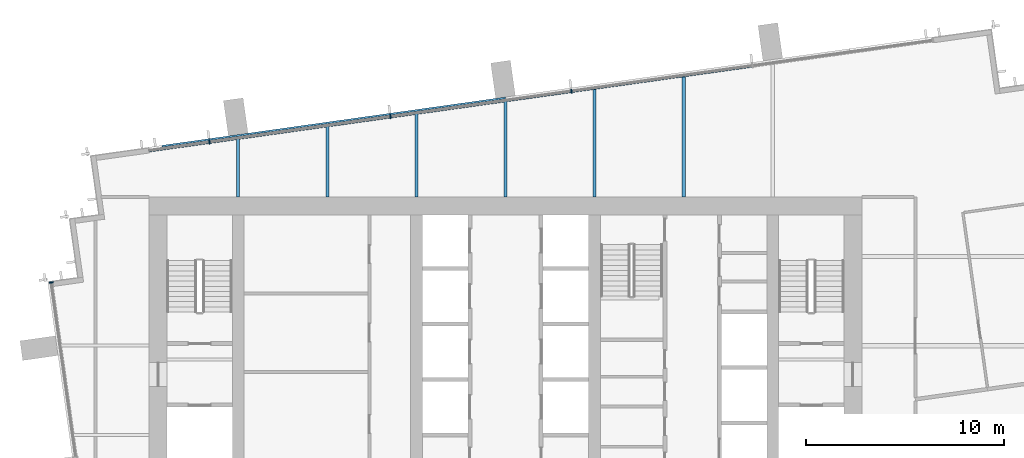
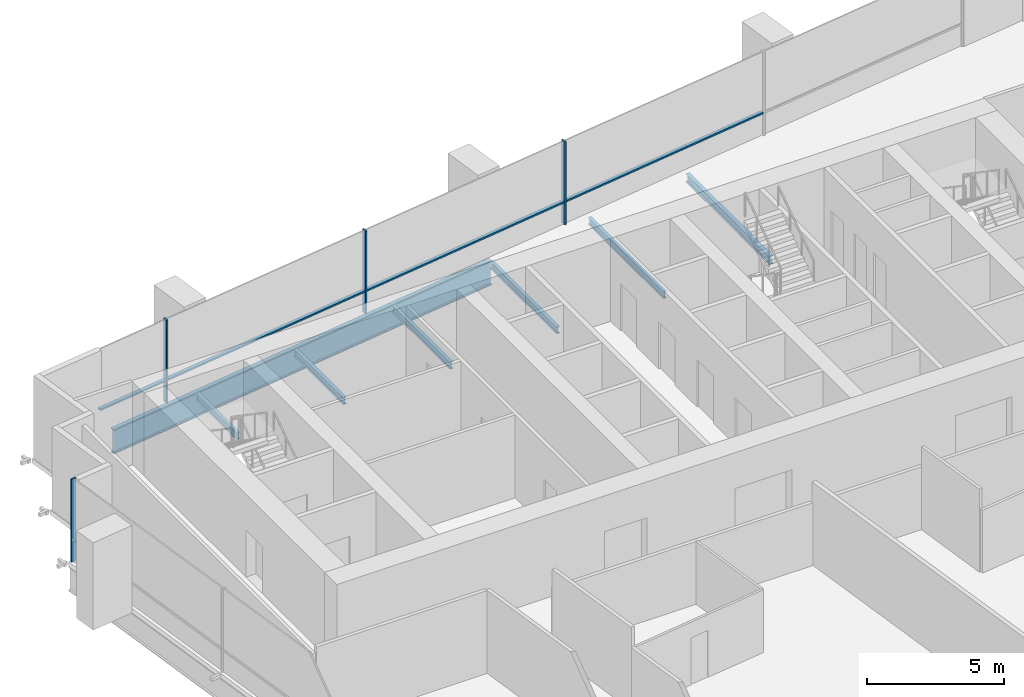
# One storey, part 6 of 13: 8 members, 7 beams, 2 elements without a shape of their own.
"""IFC4 building model written with IfcOpenShell, lengths in metres."""

from ifc_helpers import new_model, si_unit, direction, frame, origin, origin_2d, place, context, subcontext, project, spatial, rectangle, i_section, extrude, material, layer, layer_set, material_profile, profile_set, type_object, element, aggregate, save


model = new_model("IFC4")

# Units and contexts
model_context = context("Model", 3, precision=1e-05, world=origin(), true_north=direction((0.0, 1.0)))
body_context = subcontext(model_context, "Body", "Model", "MODEL_VIEW")
ifc_project = project(units=[si_unit("LENGTHUNIT", "METRE"), si_unit("AREAUNIT", "SQUARE_METRE"), si_unit("VOLUMEUNIT", "CUBIC_METRE"), si_unit("PLANEANGLEUNIT", "RADIAN"), si_unit("MASSUNIT", "GRAM", prefix="KILO")], contexts=[model_context])

# Site, building, storey
site_placement = place(None, origin())
site = spatial("IfcSite", under=ifc_project, at=site_placement, CompositionType="ELEMENT")
building_placement = place(site_placement, origin())
building = spatial("IfcBuilding", under=site, at=building_placement, Name="Rattan Terrace Tower", CompositionType="ELEMENT")
storey_placement = place(building_placement, frame((0.0, 0.0, 240.800048828125)))
storey = spatial("IfcBuildingStorey", under=building, at=storey_placement, Name="L55", CompositionType="ELEMENT", Elevation=240.800048828125)

# Beams
ifc_material_1 = material(Name="Steel S460", Category="steel")
ifc_material_profile_1 = material_profile(ifc_material_1, i_section(OverallWidth=0.179931640625, OverallDepth=1.10009765625, WebThickness=0.01611328125, FlangeThickness=0.050048828125, at=origin_2d()), Name="PG 1100x180-16-50")
ifc_profile_set_1 = profile_set([ifc_material_profile_1], Name="Steel S460")
beam_type_1 = type_object("IfcBeamType", Name="Frame edge girder PG 1100x180-16-50", PredefinedType="SPANDREL", material=ifc_profile_set_1)
beam_1_placement = place(storey_placement, frame((-17.347900390625, 10.031005859375, -0.75), z_axis=(0.990267797657, 0.13917502981, 0.0), x_axis=(-0.13917502981, 0.990267797657, 0.0)))
element("IfcBeam", 1, at=beam_1_placement, inside=storey, type_object=beam_type_1, Name="gdr-L55-005", PredefinedType="SPANDREL", context=body_context, shape_type="SweptSolid", body=[
    extrude(i_section(OverallWidth=0.179931640625, OverallDepth=1.10009765625, WebThickness=0.01611328125, FlangeThickness=0.050048828125, at=origin_2d()), origin(), (0.0, 0.0, 1.0), 17.531494140625),
])
ifc_material_2 = material(Name="Steel S355", Category="steel")
ifc_material_profile_2 = material_profile(ifc_material_2, i_section(OverallWidth=0.14990234375, OverallDepth=0.300048828125, WebThickness=0.007080078125, FlangeThickness=0.0107421875, FilletRadius=0.014892578125, at=origin_2d()), Name="IPE 300")
ifc_profile_set_2 = profile_set([ifc_material_profile_2], Name="Steel S355")
beam_type_2 = type_object("IfcBeamType", Name="Frame floor beam IPE 300", PredefinedType="JOIST", material=ifc_profile_set_2)
beam_2_placement = place(storey_placement, frame((-13.5, 7.5, -0.35009765625), z_axis=(0.0, 1.0, 0.0), x_axis=(-1.0, 0.0, 0.0)))
element("IfcBeam", 2, at=beam_2_placement, inside=storey, type_object=beam_type_2, Name="bm-L55-014", PredefinedType="JOIST", context=body_context, shape_type="SweptSolid", body=[
    extrude(i_section(OverallWidth=0.14990234375, OverallDepth=0.300048828125, WebThickness=0.007080078125, FlangeThickness=0.0107421875, FilletRadius=0.014892578125, at=origin_2d()), origin(), (0.0, 0.0, 1.0), 2.969970703125),
])
beam_3_placement = place(storey_placement, frame((-9.0, 7.5, -0.35009765625), z_axis=(0.0, 1.0, 0.0), x_axis=(-1.0, 0.0, 0.0)))
element("IfcBeam", 3, at=beam_3_placement, inside=storey, type_object=beam_type_2, Name="bm-L55-015", PredefinedType="JOIST", context=body_context, shape_type="SweptSolid", body=[
    extrude(i_section(OverallWidth=0.14990234375, OverallDepth=0.300048828125, WebThickness=0.007080078125, FlangeThickness=0.0107421875, FilletRadius=0.014892578125, at=origin_2d()), origin(), (0.0, 0.0, 1.0), 3.60302734375),
])
beam_4_placement = place(storey_placement, frame((-4.5, 7.5, -0.35009765625), z_axis=(0.0, 1.0, 0.0), x_axis=(-1.0, 0.0, 0.0)))
element("IfcBeam", 4, at=beam_4_placement, inside=storey, type_object=beam_type_2, Name="bm-L55-016", PredefinedType="JOIST", context=body_context, shape_type="SweptSolid", body=[
    extrude(i_section(OverallWidth=0.14990234375, OverallDepth=0.300048828125, WebThickness=0.007080078125, FlangeThickness=0.0107421875, FilletRadius=0.014892578125, at=origin_2d()), origin(), (0.0, 0.0, 1.0), 4.235107421875),
])
beam_5_placement = place(storey_placement, frame((0.0, 7.5, -0.35009765625), z_axis=(0.0, 1.0, 0.0), x_axis=(-1.0, 0.0, 0.0)))
element("IfcBeam", 5, at=beam_5_placement, inside=storey, type_object=beam_type_2, Name="bm-L55-017", PredefinedType="JOIST", context=body_context, shape_type="SweptSolid", body=[
    extrude(i_section(OverallWidth=0.14990234375, OverallDepth=0.300048828125, WebThickness=0.007080078125, FlangeThickness=0.0107421875, FilletRadius=0.014892578125, at=origin_2d()), origin(), (0.0, 0.0, 1.0), 4.867919921875),
])
beam_6_placement = place(storey_placement, frame((4.5, 7.5, -0.35009765625), z_axis=(0.0, 1.0, 0.0), x_axis=(-1.0, 0.0, 0.0)))
element("IfcBeam", 6, at=beam_6_placement, inside=storey, type_object=beam_type_2, Name="bm-L55-018", PredefinedType="JOIST", context=body_context, shape_type="SweptSolid", body=[
    extrude(i_section(OverallWidth=0.14990234375, OverallDepth=0.300048828125, WebThickness=0.007080078125, FlangeThickness=0.0107421875, FilletRadius=0.014892578125, at=origin_2d()), origin(), (0.0, 0.0, 1.0), 5.5),
])
ifc_material_3 = material(Name="Steel S355", Category="steel")
ifc_material_profile_3 = material_profile(ifc_material_3, i_section(OverallWidth=0.169921875, OverallDepth=0.360107421875, WebThickness=0.008056640625, FlangeThickness=0.0126953125, FilletRadius=0.01806640625, at=origin_2d()), Name="IPE 360")
ifc_profile_set_3 = profile_set([ifc_material_profile_3], Name="Steel S355")
beam_type_3 = type_object("IfcBeamType", Name="Frame floor beam IPE 360", PredefinedType="JOIST", material=ifc_profile_set_3)
beam_7_placement = place(storey_placement, frame((9.0, 7.5, -0.380126953125), z_axis=(0.0, 1.0, 0.0), x_axis=(-1.0, 0.0, 0.0)))
element("IfcBeam", 7, at=beam_7_placement, inside=storey, type_object=beam_type_3, Name="bm-L55-019", PredefinedType="JOIST", context=body_context, shape_type="SweptSolid", body=[
    extrude(i_section(OverallWidth=0.169921875, OverallDepth=0.360107421875, WebThickness=0.008056640625, FlangeThickness=0.0126953125, FilletRadius=0.01806640625, at=origin_2d()), origin(), (0.0, 0.0, 1.0), 6.131103515625),
])

# Curtain wall, members
ifc_material_4 = material(Name="Aluminium and laminated glass", Category="aluminium")
ifc_layer = layer(ifc_material_4, 0.199951171875)
ifc_layer_set = layer_set([ifc_layer], Name="High-Zone Unitised Curtain Wall")
curtain_wall_type = type_object("IfcCurtainWallType", Name="High-Zone Unitised Curtain Wall", PredefinedType="NOTDEFINED", material=ifc_layer_set)
curtain_wall_1_placement = place(storey_placement, origin())
curtain_wall_1 = element("IfcCurtainWall", 8, at=curtain_wall_1_placement, inside=storey, type_object=curtain_wall_type, Name="High-zone curtain wall L55-2", PredefinedType="NOTDEFINED")
ifc_material_5 = material(Name="Aluminium", Category="aluminium")
ifc_material_profile_4 = material_profile(ifc_material_5, rectangle(XDim=0.070068359375, YDim=0.199951171875, at=origin_2d()), Name="Aluminium 70x200")
ifc_profile_set_4 = profile_set([ifc_material_profile_4], Name="Aluminium")
member_type_1 = type_object("IfcMemberType", Name="High-Zone CW Mullion 70x200", PredefinedType="MULLION", material=ifc_profile_set_4)
member_1_placement = place(storey_placement, frame((3.332275390625, 12.856201171875, 0.0), z_axis=(0.0, 0.0, 1.0), x_axis=(-0.990267457022, -0.139177453499, 0.0)))
member_1 = element("IfcMember", 9, at=member_1_placement, type_object=member_type_1, Name="Mullion cwl-L55-002.3", PredefinedType="MULLION", context=body_context, shape_type="SweptSolid", body=[
    extrude(rectangle(XDim=0.070068359375, YDim=0.199951171875, at=origin_2d()), origin(), (0.0, 0.0, 1.0), 3.699951171875),
])
member_2_placement = place(storey_placement, frame((-5.808837890625, 11.571533203125, 0.0), z_axis=(0.0, 0.0, 1.0), x_axis=(-0.990267457022, -0.139177453499, 0.0)))
member_2 = element("IfcMember", 10, at=member_2_placement, type_object=member_type_1, Name="Mullion cwl-L55-002.4", PredefinedType="MULLION", context=body_context, shape_type="SweptSolid", body=[
    extrude(rectangle(XDim=0.070068359375, YDim=0.199951171875, at=origin_2d()), origin(), (0.0, 0.0, 1.0), 3.699951171875),
])
member_3_placement = place(storey_placement, frame((-14.949951171875, 10.28662109375, 0.0), z_axis=(0.0, 0.0, 1.0), x_axis=(-0.990267457022, -0.139177453499, 0.0)))
member_3 = element("IfcMember", 11, at=member_3_placement, type_object=member_type_1, Name="Mullion cwl-L55-002.5", PredefinedType="MULLION", context=body_context, shape_type="SweptSolid", body=[
    extrude(rectangle(XDim=0.070068359375, YDim=0.199951171875, at=origin_2d()), origin(), (0.0, 0.0, 1.0), 3.699951171875),
])

# Curtain wall, member
curtain_wall_2_placement = place(storey_placement, origin())
curtain_wall_2 = element("IfcCurtainWall", 12, at=curtain_wall_2_placement, inside=storey, type_object=curtain_wall_type, Name="High-zone curtain wall L55-3", PredefinedType="NOTDEFINED")
member_4_placement = place(storey_placement, frame((-22.946533203125, 3.1943359375, 0.0), z_axis=(0.0, 0.0, 1.0), x_axis=(0.139186165309, -0.990266232579, 0.0)))
member_4 = element("IfcMember", 13, at=member_4_placement, type_object=member_type_1, Name="Mullion cwl-L55-003.1", PredefinedType="MULLION", context=body_context, shape_type="SweptSolid", body=[
    extrude(rectangle(XDim=0.070068359375, YDim=0.199951171875, at=origin_2d()), origin(), (0.0, 0.0, 1.0), 3.699951171875),
])
aggregate(curtain_wall_2, [member_4])

# Member
ifc_material_6 = material(Name="Aluminium", Category="aluminium")
ifc_material_profile_5 = material_profile(ifc_material_6, rectangle(XDim=0.159912109375, YDim=0.070068359375, at=origin_2d()), Name="Aluminium 160x70")
ifc_profile_set_5 = profile_set([ifc_material_profile_5], Name="Aluminium")
member_type_2 = type_object("IfcMemberType", Name="High-Zone CW Transom 160x70", PredefinedType="USERDEFINED", material=ifc_profile_set_5)
member_5_placement = place(storey_placement, frame((12.438720703125, 14.135986328125, 1.0), z_axis=(-0.990268863305, -0.13916744723, 0.0), x_axis=(0.13916744723, -0.990268863305, 0.0)))
member_5 = element("IfcMember", 14, at=member_5_placement, type_object=member_type_2, Name="Transom cwl-L55-002.2", ObjectType="TRANSOM", PredefinedType="USERDEFINED", context=body_context, shape_type="SweptSolid", body=[
    extrude(rectangle(XDim=0.159912109375, YDim=0.070068359375, at=origin_2d()), origin(), (0.0, 0.0, 1.0), 9.160888671875),
])

member_6_placement = place(storey_placement, frame((3.297607421875, 12.851318359375, 1.0), z_axis=(-0.990265190222, -0.139193581154, 0.0), x_axis=(0.139193581154, -0.990265190222, 0.0)))
member_6 = element("IfcMember", 15, at=member_6_placement, type_object=member_type_2, Name="Transom cwl-L55-002.3", ObjectType="TRANSOM", PredefinedType="USERDEFINED", context=body_context, shape_type="SweptSolid", body=[
    extrude(rectangle(XDim=0.159912109375, YDim=0.070068359375, at=origin_2d()), origin(), (0.0, 0.0, 1.0), 9.160888671875),
])

member_7_placement = place(storey_placement, frame((-5.843505859375, 11.566650390625, 1.0), z_axis=(-0.990265190222, -0.139193581154, 0.0), x_axis=(0.139193581154, -0.990265190222, 0.0)))
member_7 = element("IfcMember", 16, at=member_7_placement, type_object=member_type_2, Name="Transom cwl-L55-002.4", ObjectType="TRANSOM", PredefinedType="USERDEFINED", context=body_context, shape_type="SweptSolid", body=[
    extrude(rectangle(XDim=0.159912109375, YDim=0.070068359375, at=origin_2d()), origin(), (0.0, 0.0, 1.0), 9.160888671875),
])

member_8_placement = place(storey_placement, frame((-14.984619140625, 10.28173828125, 1.0), z_axis=(-0.990269723995, -0.139161322712, 0.0), x_axis=(0.139161322712, -0.990269723995, 0.0)))
member_8 = element("IfcMember", 17, at=member_8_placement, type_object=member_type_2, Name="Transom cwl-L55-002.5", ObjectType="TRANSOM", PredefinedType="USERDEFINED", context=body_context, shape_type="SweptSolid", body=[
    extrude(rectangle(XDim=0.159912109375, YDim=0.070068359375, at=origin_2d()), origin(), (0.0, 0.0, 1.0), 3.040283203125),
])

aggregate(curtain_wall_1, [member_1, member_2, member_3, member_5, member_6, member_7, member_8])

save(model, "model.ifc")
